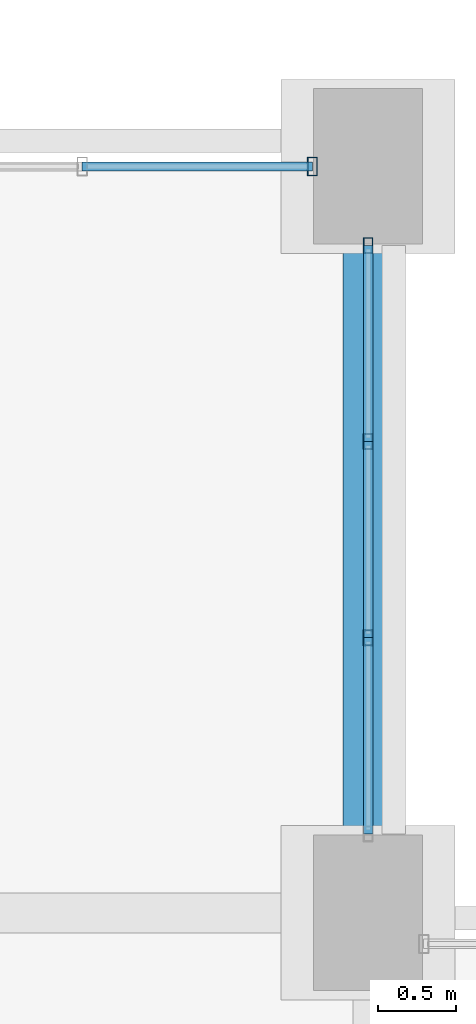
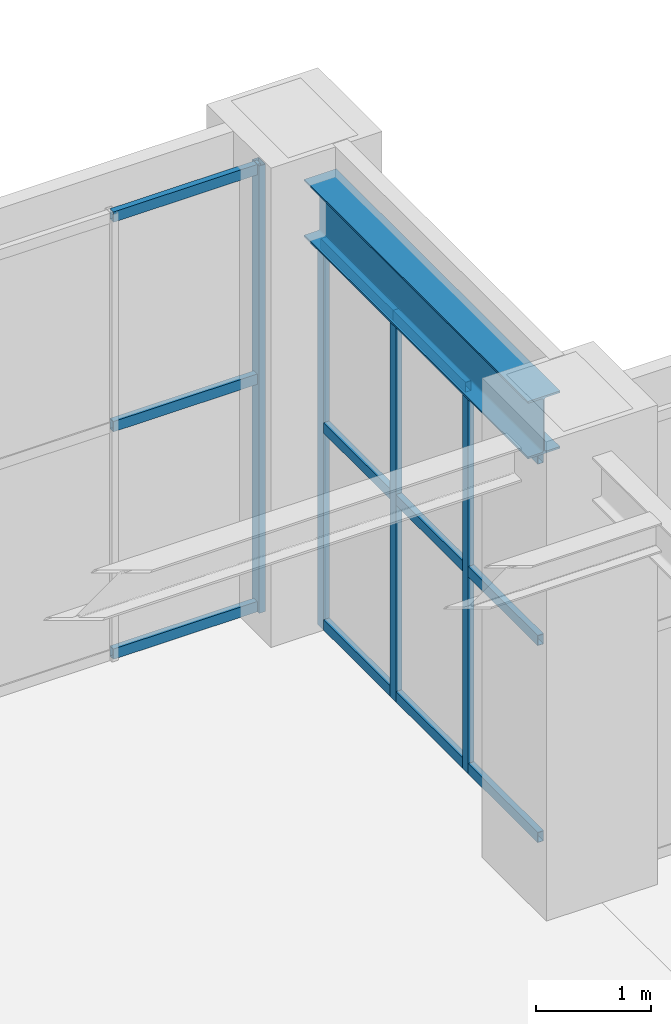
# One storey, part 115 of 174: 16 members, 1 beam, 2 elements without a shape of their own.
"""IFC4 building model written with IfcOpenShell, lengths in metres."""

from ifc_helpers import new_model, si_unit, direction, frame, origin, origin_2d, place, context, subcontext, project, spatial, hollow_rectangle, i_section, extrude, material, material_profile, profile_set, type_object, element, aggregate, save


model = new_model("IFC4")

# Units and contexts
model_context = context("Model", 3, precision=1e-05, world=origin(), true_north=direction((0.0, 1.0)))
body_context = subcontext(model_context, "Body", "Model", "MODEL_VIEW")
ifc_project = project(units=[si_unit("LENGTHUNIT", "METRE"), si_unit("AREAUNIT", "SQUARE_METRE"), si_unit("VOLUMEUNIT", "CUBIC_METRE"), si_unit("PLANEANGLEUNIT", "RADIAN"), si_unit("MASSUNIT", "GRAM", prefix="KILO")], contexts=[model_context])

# Site, building, storey
site_placement = place(None, origin())
site = spatial("IfcSite", under=ifc_project, at=site_placement, CompositionType="ELEMENT")
building_placement = place(site_placement, origin())
building = spatial("IfcBuilding", under=site, at=building_placement, Name="Mavantir Sound Aquarium", CompositionType="ELEMENT")
storey_placement = place(building_placement, frame((0.0, 0.0, 5.39990234375)))
storey = spatial("IfcBuildingStorey", under=building, at=storey_placement, Name="L01", CompositionType="ELEMENT", Elevation=5.39990234375)

# Beam
ifc_material_1 = material(Name="Structural Steel ASTM A992 Gr50", Category="steel")
ifc_material_profile_1 = material_profile(ifc_material_1, i_section(OverallWidth=0.323974609375, OverallDepth=0.611083984375, WebThickness=0.0126953125, FlangeThickness=0.01904296875, FilletRadius=0.01904296875, at=origin_2d()), Name="W610X155")
ifc_profile_set_1 = profile_set([ifc_material_profile_1], Name="Structural Steel ASTM A992 Gr50")
beam_type = type_object("IfcBeamType", Name="BM-W610X155-I", PredefinedType="BEAM", material=ifc_profile_set_1)
beam_placement = place(storey_placement, frame((156.0, 71.25, 4.470703125), z_axis=(0.0, 1.0, 0.0), x_axis=(-1.0, 0.0, 0.0)))
element("IfcBeam", 1, at=beam_placement, inside=storey, type_object=beam_type, Name="L01 primary girder SB-61A 1345", PredefinedType="BEAM", context=body_context, shape_type="SweptSolid", body=[
    extrude(i_section(OverallWidth=0.323974609375, OverallDepth=0.611083984375, WebThickness=0.0126953125, FlangeThickness=0.01904296875, FilletRadius=0.01904296875, at=origin_2d()), origin(), (0.0, 0.0, 1.0), 3.89990234375),
])

# Curtain wall, members
ifc_material_2 = material(Name="Anodised Marine Aluminium and Low-E Glass", Category="aluminium")
curtain_wall_type_1 = type_object("IfcCurtainWallType", Name="CW-T15", PredefinedType="USERDEFINED", material=ifc_material_2)
curtain_wall_1_placement = place(storey_placement, origin())
curtain_wall_1 = element("IfcCurtainWall", 2, at=curtain_wall_1_placement, inside=storey, type_object=curtain_wall_type_1, Name="L01 unitised curtain wall CW-15 111", ObjectType="UNITISED GLAZING", PredefinedType="USERDEFINED")
ifc_material_3 = material(Name="Anodised Marine Aluminium 6063-T6", Category="aluminium")
ifc_material_profile_2 = material_profile(ifc_material_3, hollow_rectangle(XDim=0.06005859375, YDim=0.10009765625, WallThickness=0.00390625, at=origin_2d()), Name="ALU-MULLION-100X60")
ifc_profile_set_2 = profile_set([ifc_material_profile_2], Name="Anodised Marine Aluminium 6063-T6")
member_type_1 = type_object("IfcMemberType", Name="CW-MUL-100", PredefinedType="MULLION", material=ifc_profile_set_2)
member_1_placement = place(storey_placement, frame((156.0, 72.5693359375, 0.0), z_axis=(0.0, 0.0, 1.0), x_axis=(1.0, 0.0, 0.0)))
member_1 = element("IfcMember", 3, at=member_1_placement, type_object=member_type_1, Name="CW-L01-111 vertical mullion 2", PredefinedType="MULLION", context=body_context, shape_type="SweptSolid", body=[
    extrude(hollow_rectangle(XDim=0.06005859375, YDim=0.10009765625, WallThickness=0.00390625, at=origin_2d()), origin(), (0.0, 0.0, 1.0), 4.135009765625),
])
member_2_placement = place(storey_placement, frame((156.0, 73.830810546875, 0.0), z_axis=(0.0, 0.0, 1.0), x_axis=(1.0, 0.0, 0.0)))
member_2 = element("IfcMember", 4, at=member_2_placement, type_object=member_type_1, Name="CW-L01-111 vertical mullion 3", PredefinedType="MULLION", context=body_context, shape_type="SweptSolid", body=[
    extrude(hollow_rectangle(XDim=0.06005859375, YDim=0.10009765625, WallThickness=0.00390625, at=origin_2d()), origin(), (0.0, 0.0, 1.0), 4.135009765625),
])
member_3_placement = place(storey_placement, frame((156.0, 75.092041015625, 0.0), z_axis=(0.0, 0.0, 1.0), x_axis=(1.0, 0.0, 0.0)))
member_3 = element("IfcMember", 5, at=member_3_placement, type_object=member_type_1, Name="CW-L01-111 vertical mullion 4", PredefinedType="MULLION", context=body_context, shape_type="SweptSolid", body=[
    extrude(hollow_rectangle(XDim=0.06005859375, YDim=0.10009765625, WallThickness=0.00390625, at=origin_2d()), origin(), (0.0, 0.0, 1.0), 4.135009765625),
])

# Curtain wall, member
curtain_wall_type_2 = type_object("IfcCurtainWallType", Name="CW-T16", PredefinedType="USERDEFINED", material=ifc_material_2)
curtain_wall_2_placement = place(storey_placement, origin())
curtain_wall_2 = element("IfcCurtainWall", 6, at=curtain_wall_2_placement, inside=storey, type_object=curtain_wall_type_2, Name="L01 unitised curtain wall CW-16 112", ObjectType="UNITISED GLAZING", PredefinedType="USERDEFINED")
ifc_material_profile_3 = material_profile(ifc_material_3, hollow_rectangle(XDim=0.06494140625, YDim=0.1201171875, WallThickness=0.00390625, at=origin_2d()), Name="ALU-MULLION-120X65")
ifc_profile_set_3 = profile_set([ifc_material_profile_3], Name="Anodised Marine Aluminium 6063-T6")
member_type_2 = type_object("IfcMemberType", Name="CW-MUL-120", PredefinedType="MULLION", material=ifc_profile_set_3)
member_4_placement = place(storey_placement, frame((155.64208984375, 75.60009765625, 0.0), z_axis=(0.0, 0.0, 1.0), x_axis=(1.0, 0.0, 0.0)))
member_4 = element("IfcMember", 7, at=member_4_placement, type_object=member_type_2, Name="CW-L01-112 vertical mullion 1", PredefinedType="MULLION", context=body_context, shape_type="SweptSolid", body=[
    extrude(hollow_rectangle(XDim=0.06494140625, YDim=0.1201171875, WallThickness=0.00390625, at=origin_2d()), origin(), (0.0, 0.0, 1.0), 4.760009765625),
])

# Member
ifc_material_profile_4 = material_profile(ifc_material_3, hollow_rectangle(XDim=0.06005859375, YDim=0.110107421875, WallThickness=0.00390625, at=origin_2d()), Name="ALU-TRANSOM-110X60")
ifc_profile_set_4 = profile_set([ifc_material_profile_4], Name="Anodised Marine Aluminium 6063-T6")
member_type_3 = type_object("IfcMemberType", Name="CW-TRN-110", PredefinedType="USERDEFINED", material=ifc_profile_set_4)
member_5_placement = place(storey_placement, frame((156.0, 71.30810546875, 0.05517578125), z_axis=(0.0, 1.0, 0.0), x_axis=(-1.0, 0.0, 0.0)))
member_5 = element("IfcMember", 8, at=member_5_placement, type_object=member_type_3, Name="CW-L01-111 transom 1.1", ObjectType="TRANSOM", PredefinedType="USERDEFINED", context=body_context, shape_type="SweptSolid", body=[
    extrude(hollow_rectangle(XDim=0.06005859375, YDim=0.110107421875, WallThickness=0.00390625, at=origin_2d()), origin(), (0.0, 0.0, 1.0), 1.26123046875),
])

member_6_placement = place(storey_placement, frame((156.0, 71.30810546875, 2.150390625), z_axis=(0.0, 1.0, 0.0), x_axis=(-1.0, 0.0, 0.0)))
member_6 = element("IfcMember", 9, at=member_6_placement, type_object=member_type_3, Name="CW-L01-111 transom 1.2", ObjectType="TRANSOM", PredefinedType="USERDEFINED", context=body_context, shape_type="SweptSolid", body=[
    extrude(hollow_rectangle(XDim=0.06005859375, YDim=0.110107421875, WallThickness=0.00390625, at=origin_2d()), origin(), (0.0, 0.0, 1.0), 1.26123046875),
])

member_7_placement = place(storey_placement, frame((156.0, 71.30810546875, 4.080078125), z_axis=(0.0, 1.0, 0.0), x_axis=(-1.0, 0.0, 0.0)))
member_7 = element("IfcMember", 10, at=member_7_placement, type_object=member_type_3, Name="CW-L01-111 transom 1.3", ObjectType="TRANSOM", PredefinedType="USERDEFINED", context=body_context, shape_type="SweptSolid", body=[
    extrude(hollow_rectangle(XDim=0.06005859375, YDim=0.110107421875, WallThickness=0.00390625, at=origin_2d()), origin(), (0.0, 0.0, 1.0), 1.26123046875),
])

member_8_placement = place(storey_placement, frame((156.0, 72.5693359375, 0.05517578125), z_axis=(0.0, 1.0, 0.0), x_axis=(-1.0, 0.0, 0.0)))
member_8 = element("IfcMember", 11, at=member_8_placement, type_object=member_type_3, Name="CW-L01-111 transom 2.1", ObjectType="TRANSOM", PredefinedType="USERDEFINED", context=body_context, shape_type="SweptSolid", body=[
    extrude(hollow_rectangle(XDim=0.06005859375, YDim=0.110107421875, WallThickness=0.00390625, at=origin_2d()), origin(), (0.0, 0.0, 1.0), 1.261474609375),
])

member_9_placement = place(storey_placement, frame((156.0, 72.5693359375, 2.150390625), z_axis=(0.0, 1.0, 0.0), x_axis=(-1.0, 0.0, 0.0)))
member_9 = element("IfcMember", 12, at=member_9_placement, type_object=member_type_3, Name="CW-L01-111 transom 2.2", ObjectType="TRANSOM", PredefinedType="USERDEFINED", context=body_context, shape_type="SweptSolid", body=[
    extrude(hollow_rectangle(XDim=0.06005859375, YDim=0.110107421875, WallThickness=0.00390625, at=origin_2d()), origin(), (0.0, 0.0, 1.0), 1.261474609375),
])

member_10_placement = place(storey_placement, frame((156.0, 72.5693359375, 4.080078125), z_axis=(0.0, 1.0, 0.0), x_axis=(-1.0, 0.0, 0.0)))
member_10 = element("IfcMember", 13, at=member_10_placement, type_object=member_type_3, Name="CW-L01-111 transom 2.3", ObjectType="TRANSOM", PredefinedType="USERDEFINED", context=body_context, shape_type="SweptSolid", body=[
    extrude(hollow_rectangle(XDim=0.06005859375, YDim=0.110107421875, WallThickness=0.00390625, at=origin_2d()), origin(), (0.0, 0.0, 1.0), 1.261474609375),
])

member_11_placement = place(storey_placement, frame((156.0, 73.830810546875, 0.05517578125), z_axis=(0.0, 1.0, 0.0), x_axis=(-1.0, 0.0, 0.0)))
member_11 = element("IfcMember", 14, at=member_11_placement, type_object=member_type_3, Name="CW-L01-111 transom 3.1", ObjectType="TRANSOM", PredefinedType="USERDEFINED", context=body_context, shape_type="SweptSolid", body=[
    extrude(hollow_rectangle(XDim=0.06005859375, YDim=0.110107421875, WallThickness=0.00390625, at=origin_2d()), origin(), (0.0, 0.0, 1.0), 1.26123046875),
])

member_12_placement = place(storey_placement, frame((156.0, 73.830810546875, 2.150390625), z_axis=(0.0, 1.0, 0.0), x_axis=(-1.0, 0.0, 0.0)))
member_12 = element("IfcMember", 15, at=member_12_placement, type_object=member_type_3, Name="CW-L01-111 transom 3.2", ObjectType="TRANSOM", PredefinedType="USERDEFINED", context=body_context, shape_type="SweptSolid", body=[
    extrude(hollow_rectangle(XDim=0.06005859375, YDim=0.110107421875, WallThickness=0.00390625, at=origin_2d()), origin(), (0.0, 0.0, 1.0), 1.26123046875),
])

member_13_placement = place(storey_placement, frame((156.0, 73.830810546875, 4.080078125), z_axis=(0.0, 1.0, 0.0), x_axis=(-1.0, 0.0, 0.0)))
member_13 = element("IfcMember", 16, at=member_13_placement, type_object=member_type_3, Name="CW-L01-111 transom 3.3", ObjectType="TRANSOM", PredefinedType="USERDEFINED", context=body_context, shape_type="SweptSolid", body=[
    extrude(hollow_rectangle(XDim=0.06005859375, YDim=0.110107421875, WallThickness=0.00390625, at=origin_2d()), origin(), (0.0, 0.0, 1.0), 1.26123046875),
])

aggregate(curtain_wall_1, [member_1, member_2, member_3, member_5, member_6, member_7, member_8, member_9, member_10, member_11, member_12, member_13])

member_14_placement = place(storey_placement, frame((155.64208984375, 75.60009765625, 0.05517578125), z_axis=(-1.0, 0.0, 0.0), x_axis=(0.0, -1.0, 0.0)))
member_14 = element("IfcMember", 17, at=member_14_placement, type_object=member_type_3, Name="CW-L01-112 transom 1.1", ObjectType="TRANSOM", PredefinedType="USERDEFINED", context=body_context, shape_type="SweptSolid", body=[
    extrude(hollow_rectangle(XDim=0.06005859375, YDim=0.110107421875, WallThickness=0.00390625, at=origin_2d()), origin(), (0.0, 0.0, 1.0), 1.480712890625),
])

member_15_placement = place(storey_placement, frame((155.64208984375, 75.60009765625, 2.475341796875), z_axis=(-1.0, 0.0, 0.0), x_axis=(0.0, -1.0, 0.0)))
member_15 = element("IfcMember", 18, at=member_15_placement, type_object=member_type_3, Name="CW-L01-112 transom 1.2", ObjectType="TRANSOM", PredefinedType="USERDEFINED", context=body_context, shape_type="SweptSolid", body=[
    extrude(hollow_rectangle(XDim=0.06005859375, YDim=0.110107421875, WallThickness=0.00390625, at=origin_2d()), origin(), (0.0, 0.0, 1.0), 1.480712890625),
])

member_16_placement = place(storey_placement, frame((155.64208984375, 75.60009765625, 4.705078125), z_axis=(-1.0, 0.0, 0.0), x_axis=(0.0, -1.0, 0.0)))
member_16 = element("IfcMember", 19, at=member_16_placement, type_object=member_type_3, Name="CW-L01-112 transom 1.3", ObjectType="TRANSOM", PredefinedType="USERDEFINED", context=body_context, shape_type="SweptSolid", body=[
    extrude(hollow_rectangle(XDim=0.06005859375, YDim=0.110107421875, WallThickness=0.00390625, at=origin_2d()), origin(), (0.0, 0.0, 1.0), 1.480712890625),
])

aggregate(curtain_wall_2, [member_4, member_14, member_15, member_16])

save(model, "model.ifc")
